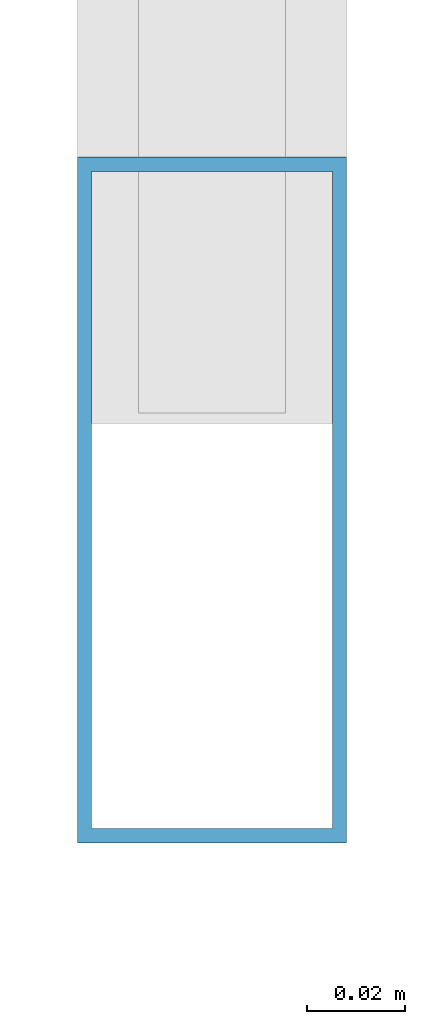
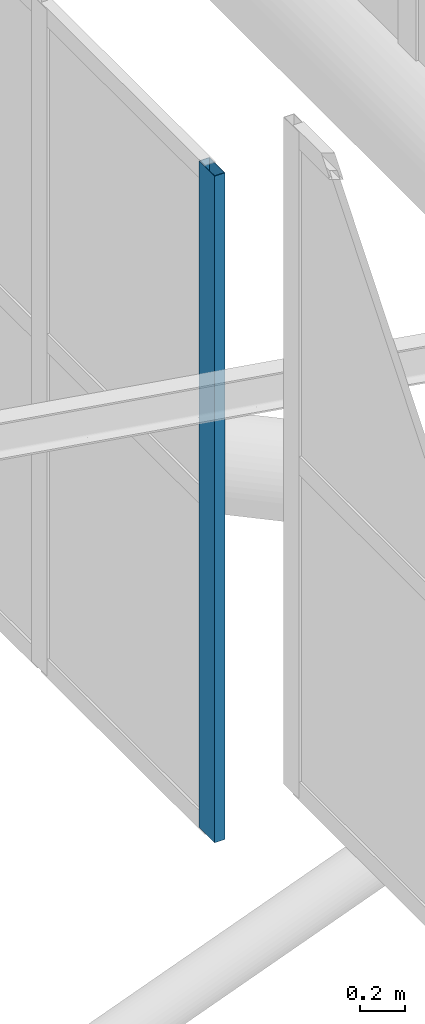
# One storey, part 278 of 397: 1 member, 1 element without a shape of its own.
"""IFC4 building model written with IfcOpenShell, lengths in metres."""

from ifc_helpers import new_model, si_unit, direction, frame, origin, origin_2d, place, context, subcontext, project, spatial, hollow_rectangle, extrude, material, material_profile, profile_set, type_object, element, aggregate, save


model = new_model("IFC4")

# Units and contexts
model_context = context("Model", 3, precision=1e-05, world=origin(), true_north=direction((0.0, 1.0)))
body_context = subcontext(model_context, "Body", "Model", "MODEL_VIEW")
ifc_project = project(units=[si_unit("LENGTHUNIT", "METRE"), si_unit("AREAUNIT", "SQUARE_METRE"), si_unit("VOLUMEUNIT", "CUBIC_METRE"), si_unit("PLANEANGLEUNIT", "RADIAN"), si_unit("MASSUNIT", "GRAM", prefix="KILO")], contexts=[model_context])

# Site, building, storey
site_placement = place(None, origin())
site = spatial("IfcSite", under=ifc_project, at=site_placement, CompositionType="ELEMENT")
building_placement = place(site_placement, origin())
building = spatial("IfcBuilding", under=site, at=building_placement, Name="Qandorah Velis Arena", CompositionType="ELEMENT")
storey_placement = place(building_placement, frame((0.0, 0.0, 27.5)))
storey = spatial("IfcBuildingStorey", under=building, at=storey_placement, Name="RF", CompositionType="ELEMENT", Elevation=27.5)

# Curtain wall, member
ifc_material_1 = material(Name="Solar-control low-E double glazing", Category="glass")
curtain_wall_type = type_object("IfcCurtainWallType", Name="ARC-CW-SYS17", PredefinedType="USERDEFINED", material=ifc_material_1)
curtain_wall_placement = place(storey_placement, origin())
curtain_wall = element("IfcCurtainWall", 1, at=curtain_wall_placement, inside=storey, type_object=curtain_wall_type, Name="Unitised curtain wall MON-2-5", ObjectType="UNITISED CURTAIN WALL", PredefinedType="USERDEFINED")
ifc_material_2 = material(Name="Champagne-bronze anodized aluminium 6063-T6", Category="aluminium")
ifc_material_profile = material_profile(ifc_material_2, hollow_rectangle(XDim=0.054931640625, YDim=0.139892578125, WallThickness=0.0029296875, at=origin_2d()), Name="ALU MULLION 55x140")
ifc_profile_set = profile_set([ifc_material_profile], Name="Champagne-bronze anodized aluminium 6063-T6")
member_type = type_object("IfcMemberType", Name="ARC-CWM-140", PredefinedType="MULLION", material=ifc_profile_set)
member_placement = place(storey_placement, frame((108.0, 79.577392578125, 5.13427734375), z_axis=(0.0, 0.0, 1.0), x_axis=(-1.0, 0.0, 0.0)))
member = element("IfcMember", 2, at=member_placement, type_object=member_type, Name="CW17 mullion 1", PredefinedType="MULLION", context=body_context, shape_type="SweptSolid", body=[
    extrude(hollow_rectangle(XDim=0.054931640625, YDim=0.139892578125, WallThickness=0.0029296875, at=origin_2d()), origin(), (0.0, 0.0, 1.0), 3.630126953125),
])
aggregate(curtain_wall, [member])

save(model, "model.ifc")
